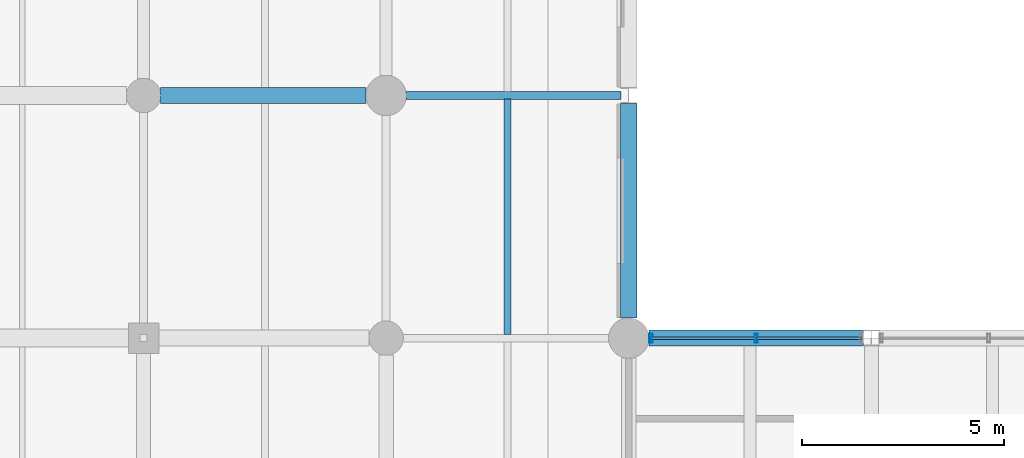
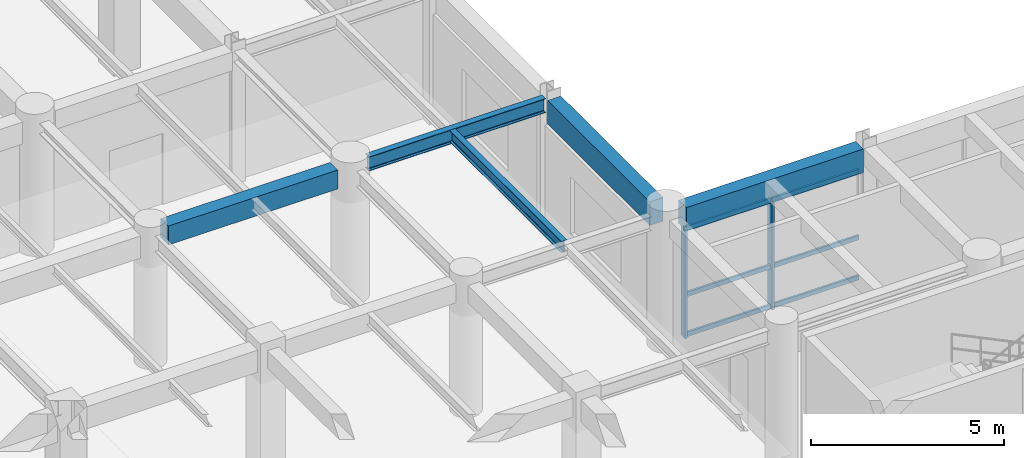
# One storey, part 34 of 133: 8 members, 5 beams, 1 element without a shape of its own.
"""IFC4 building model written with IfcOpenShell, lengths in metres."""

from ifc_helpers import new_model, si_unit, direction, frame, origin, origin_2d, place, context, subcontext, project, spatial, rectangle, hollow_rectangle, i_section, extrude, material, material_profile, profile_set, type_object, element, aggregate, save


model = new_model("IFC4")

# Units and contexts
model_context = context("Model", 3, precision=1e-05, world=origin(), true_north=direction((0.0, 1.0)))
body_context = subcontext(model_context, "Body", "Model", "MODEL_VIEW")
ifc_project = project(units=[si_unit("LENGTHUNIT", "METRE"), si_unit("AREAUNIT", "SQUARE_METRE"), si_unit("VOLUMEUNIT", "CUBIC_METRE"), si_unit("PLANEANGLEUNIT", "RADIAN"), si_unit("MASSUNIT", "GRAM", prefix="KILO"), si_unit("THERMODYNAMICTEMPERATUREUNIT", "KELVIN"), si_unit("POWERUNIT", "WATT")], contexts=[model_context])

# Site, building, storey
site_placement = place(None, origin())
site = spatial("IfcSite", under=ifc_project, at=site_placement, CompositionType="ELEMENT")
building_placement = place(site_placement, origin())
building = spatial("IfcBuilding", under=site, at=building_placement, Name="Phaisarnlok Congress Hotel", CompositionType="ELEMENT")
storey_placement = place(building_placement, frame((0.0, 0.0, 6.0)))
storey = spatial("IfcBuildingStorey", under=building, at=storey_placement, Name="L01", CompositionType="ELEMENT", Elevation=6.0)

# Beams
ifc_material_1 = material(Name="Concrete C40/50", Category="concrete")
ifc_material_profile_1 = material_profile(ifc_material_1, rectangle(XDim=0.39990234375, YDim=0.60009765625, at=origin_2d()), Name="RC 400x600")
ifc_profile_set_1 = profile_set([ifc_material_profile_1], Name="Concrete C40/50")
beam_type_1 = type_object("IfcBeamType", Name="BM-RC-400x600", PredefinedType="BEAM", material=ifc_profile_set_1)
beam_1_placement = place(storey_placement, frame((30.419921875, 102.0, 3.919921875), z_axis=(1.0, 0.0, 0.0), x_axis=(0.0, 1.0, 0.0)))
element("IfcBeam", 1, at=beam_1_placement, inside=storey, type_object=beam_type_1, Name="Beam B-02", PredefinedType="BEAM", context=body_context, shape_type="SweptSolid", body=[
    extrude(rectangle(XDim=0.39990234375, YDim=0.60009765625, at=origin_2d()), origin(), (0.0, 0.0, 1.0), 5.0849609375),
])
ifc_material_2 = material(Name="Steel S355", Category="steel")
ifc_material_profile_2 = material_profile(ifc_material_2, i_section(OverallWidth=0.18994140625, OverallDepth=0.449951171875, WebThickness=0.009521484375, FlangeThickness=0.0146484375, FilletRadius=0.02099609375, at=origin_2d()), Name="IPE 450")
ifc_profile_set_2 = profile_set([ifc_material_profile_2], Name="Steel S355")
beam_type_2 = type_object("IfcBeamType", Name="BM-STL-IPE450", PredefinedType="BEAM", material=ifc_profile_set_2)
beam_2_placement = place(storey_placement, frame((36.4951171875, 102.0, 3.9951171875), z_axis=(1.0, 0.0, 0.0), x_axis=(0.0, 1.0, 0.0)))
element("IfcBeam", 2, at=beam_2_placement, inside=storey, type_object=beam_type_2, Name="Beam SB-01", PredefinedType="BEAM", context=body_context, shape_type="SweptSolid", body=[
    extrude(i_section(OverallWidth=0.18994140625, OverallDepth=0.449951171875, WebThickness=0.009521484375, FlangeThickness=0.0146484375, FilletRadius=0.02099609375, at=origin_2d()), origin(), (0.0, 0.0, 1.0), 5.309326171875),
])

# Curtain wall, members
ifc_material_3 = material(Name="Thermally Broken Unitised Aluminium & Low-E Glazing", Category="aluminium")
curtain_wall_type = type_object("IfcCurtainWallType", Name="CW-UNIT-13", PredefinedType="NOTDEFINED", material=ifc_material_3)
curtain_wall_placement = place(storey_placement, origin())
curtain_wall = element("IfcCurtainWall", 3, at=curtain_wall_placement, inside=storey, type_object=curtain_wall_type, Name="Unitised curtain wall CW-13 (L01)", PredefinedType="NOTDEFINED")
ifc_material_4 = material(Name="Anodised Aluminium Alloy 6063-T6", Category="aluminium")
ifc_material_profile_3 = material_profile(ifc_material_4, hollow_rectangle(XDim=0.074951171875, YDim=0.219970703125, WallThickness=0.0048828125, at=origin_2d()), Name="ALU-M 75x220x5")
ifc_profile_set_3 = profile_set([ifc_material_profile_3], Name="Anodised Aluminium Alloy 6063-T6")
member_type_1 = type_object("IfcMemberType", Name="CWM-220", PredefinedType="MULLION", material=ifc_profile_set_3)
member_1_placement = place(storey_placement, frame((45.149658203125, 96.0, 0.0), z_axis=(0.0, 0.0, 1.0), x_axis=(-1.0, 0.0, 0.0)))
member_1 = element("IfcMember", 4, at=member_1_placement, type_object=member_type_1, Name="Curtain wall mullion CWM-02", PredefinedType="MULLION", context=body_context, shape_type="SweptSolid", body=[
    extrude(hollow_rectangle(XDim=0.074951171875, YDim=0.219970703125, WallThickness=0.0048828125, at=origin_2d()), origin(), (0.0, 0.0, 1.0), 3.469970703125),
])
member_2_placement = place(storey_placement, frame((42.550048828125, 96.0, 0.0), z_axis=(0.0, 0.0, 1.0), x_axis=(-1.0, 0.0, 0.0)))
member_2 = element("IfcMember", 5, at=member_2_placement, type_object=member_type_1, Name="Curtain wall mullion CWM-02", PredefinedType="MULLION", context=body_context, shape_type="SweptSolid", body=[
    extrude(hollow_rectangle(XDim=0.074951171875, YDim=0.219970703125, WallThickness=0.0048828125, at=origin_2d()), origin(), (0.0, 0.0, 1.0), 3.469970703125),
])
ifc_material_profile_4 = material_profile(ifc_material_4, hollow_rectangle(XDim=0.06494140625, YDim=0.139892578125, WallThickness=0.00390625, at=origin_2d()), Name="ALU-T 65x140x4")
ifc_profile_set_4 = profile_set([ifc_material_profile_4], Name="Anodised Aluminium Alloy 6063-T6")
member_type_2 = type_object("IfcMemberType", Name="CWT-150", PredefinedType="USERDEFINED", material=ifc_profile_set_4)
member_3_placement = place(storey_placement, frame((47.7744140625, 96.0, 0.050048828125), z_axis=(-1.0, 0.0, 0.0), x_axis=(0.0, -1.0, 0.0)))
member_3 = element("IfcMember", 6, at=member_3_placement, type_object=member_type_2, Name="Curtain wall transom CWT-01", ObjectType="TRANSOM", PredefinedType="USERDEFINED", context=body_context, shape_type="SweptSolid", body=[
    extrude(hollow_rectangle(XDim=0.06494140625, YDim=0.139892578125, WallThickness=0.00390625, at=origin_2d()), origin(), (0.0, 0.0, 1.0), 2.609619140625),
])
member_4_placement = place(storey_placement, frame((47.7744140625, 96.0, 1.318603515625), z_axis=(-1.0, 0.0, 0.0), x_axis=(0.0, -1.0, 0.0)))
member_4 = element("IfcMember", 7, at=member_4_placement, type_object=member_type_2, Name="Curtain wall transom CWT-01", ObjectType="TRANSOM", PredefinedType="USERDEFINED", context=body_context, shape_type="SweptSolid", body=[
    extrude(hollow_rectangle(XDim=0.06494140625, YDim=0.139892578125, WallThickness=0.00390625, at=origin_2d()), origin(), (0.0, 0.0, 1.0), 2.609619140625),
])
member_5_placement = place(storey_placement, frame((47.7744140625, 96.0, 3.419921875), z_axis=(-1.0, 0.0, 0.0), x_axis=(0.0, -1.0, 0.0)))
member_5 = element("IfcMember", 8, at=member_5_placement, type_object=member_type_2, Name="Curtain wall transom CWT-01", ObjectType="TRANSOM", PredefinedType="USERDEFINED", context=body_context, shape_type="SweptSolid", body=[
    extrude(hollow_rectangle(XDim=0.06494140625, YDim=0.139892578125, WallThickness=0.00390625, at=origin_2d()), origin(), (0.0, 0.0, 1.0), 2.609619140625),
])
member_6_placement = place(storey_placement, frame((45.134765625, 96.0, 0.050048828125), z_axis=(-1.0, 0.0, 0.0), x_axis=(0.0, -1.0, 0.0)))
member_6 = element("IfcMember", 9, at=member_6_placement, type_object=member_type_2, Name="Curtain wall transom CWT-01", ObjectType="TRANSOM", PredefinedType="USERDEFINED", context=body_context, shape_type="SweptSolid", body=[
    extrude(hollow_rectangle(XDim=0.06494140625, YDim=0.139892578125, WallThickness=0.00390625, at=origin_2d()), origin(), (0.0, 0.0, 1.0), 2.60986328125),
])
member_7_placement = place(storey_placement, frame((45.134765625, 96.0, 1.318603515625), z_axis=(-1.0, 0.0, 0.0), x_axis=(0.0, -1.0, 0.0)))
member_7 = element("IfcMember", 10, at=member_7_placement, type_object=member_type_2, Name="Curtain wall transom CWT-01", ObjectType="TRANSOM", PredefinedType="USERDEFINED", context=body_context, shape_type="SweptSolid", body=[
    extrude(hollow_rectangle(XDim=0.06494140625, YDim=0.139892578125, WallThickness=0.00390625, at=origin_2d()), origin(), (0.0, 0.0, 1.0), 2.60986328125),
])
member_8_placement = place(storey_placement, frame((45.134765625, 96.0, 3.419921875), z_axis=(-1.0, 0.0, 0.0), x_axis=(0.0, -1.0, 0.0)))
member_8 = element("IfcMember", 11, at=member_8_placement, type_object=member_type_2, Name="Curtain wall transom CWT-01", ObjectType="TRANSOM", PredefinedType="USERDEFINED", context=body_context, shape_type="SweptSolid", body=[
    extrude(hollow_rectangle(XDim=0.06494140625, YDim=0.139892578125, WallThickness=0.00390625, at=origin_2d()), origin(), (0.0, 0.0, 1.0), 2.60986328125),
])
aggregate(curtain_wall, [member_1, member_2, member_3, member_4, member_5, member_6, member_7, member_8])

# Beams
ifc_material_profile_5 = material_profile(ifc_material_2, i_section(OverallWidth=0.169921875, OverallDepth=0.360107421875, WebThickness=0.008056640625, FlangeThickness=0.0126953125, FilletRadius=0.01806640625, at=origin_2d()), Name="IPE 360")
ifc_profile_set_5 = profile_set([ifc_material_profile_5], Name="Steel S355")
beam_type_3 = type_object("IfcBeamType", Name="JS-STL-IPE360", PredefinedType="JOIST", material=ifc_profile_set_5)
beam_3_placement = place(storey_placement, frame((39.0, 96.090087890625, 4.0400390625), z_axis=(0.0, 1.0, 0.0), x_axis=(-1.0, 0.0, 0.0)))
element("IfcBeam", 12, at=beam_3_placement, inside=storey, type_object=beam_type_3, Name="Secondary floor joist J-04", PredefinedType="JOIST", context=body_context, shape_type="SweptSolid", body=[
    extrude(i_section(OverallWidth=0.169921875, OverallDepth=0.360107421875, WebThickness=0.008056640625, FlangeThickness=0.0126953125, FilletRadius=0.01806640625, at=origin_2d()), origin(), (0.0, 0.0, 1.0), 5.81982421875),
])
ifc_material_profile_6 = material_profile(ifc_material_1, rectangle(XDim=0.39990234375, YDim=0.75, at=origin_2d()), Name="RC 400x750")
ifc_profile_set_6 = profile_set([ifc_material_profile_6], Name="Concrete C40/50")
beam_type_4 = type_object("IfcBeamType", Name="SP-RC-400x750", PredefinedType="SPANDREL", material=ifc_profile_set_6)
beam_4_placement = place(storey_placement, frame((42.4951171875, 96.0, 3.844970703125), z_axis=(1.0, 0.0, 0.0), x_axis=(0.0, 1.0, 0.0)))
element("IfcBeam", 13, at=beam_4_placement, inside=storey, type_object=beam_type_4, Name="Beam SP-02", PredefinedType="SPANDREL", context=body_context, shape_type="SweptSolid", body=[
    extrude(rectangle(XDim=0.39990234375, YDim=0.75, at=origin_2d()), origin(), (0.0, 0.0, 1.0), 5.309326171875),
])
beam_5_placement = place(storey_placement, frame((42.0, 96.4951171875, 3.844970703125), z_axis=(0.0, 1.0, 0.0), x_axis=(-1.0, 0.0, 0.0)))
element("IfcBeam", 14, at=beam_5_placement, inside=storey, type_object=beam_type_4, Name="Beam SP-02", PredefinedType="SPANDREL", context=body_context, shape_type="SweptSolid", body=[
    extrude(rectangle(XDim=0.39990234375, YDim=0.75, at=origin_2d()), origin(), (0.0, 0.0, 1.0), 5.310302734375),
])

save(model, "model.ifc")
